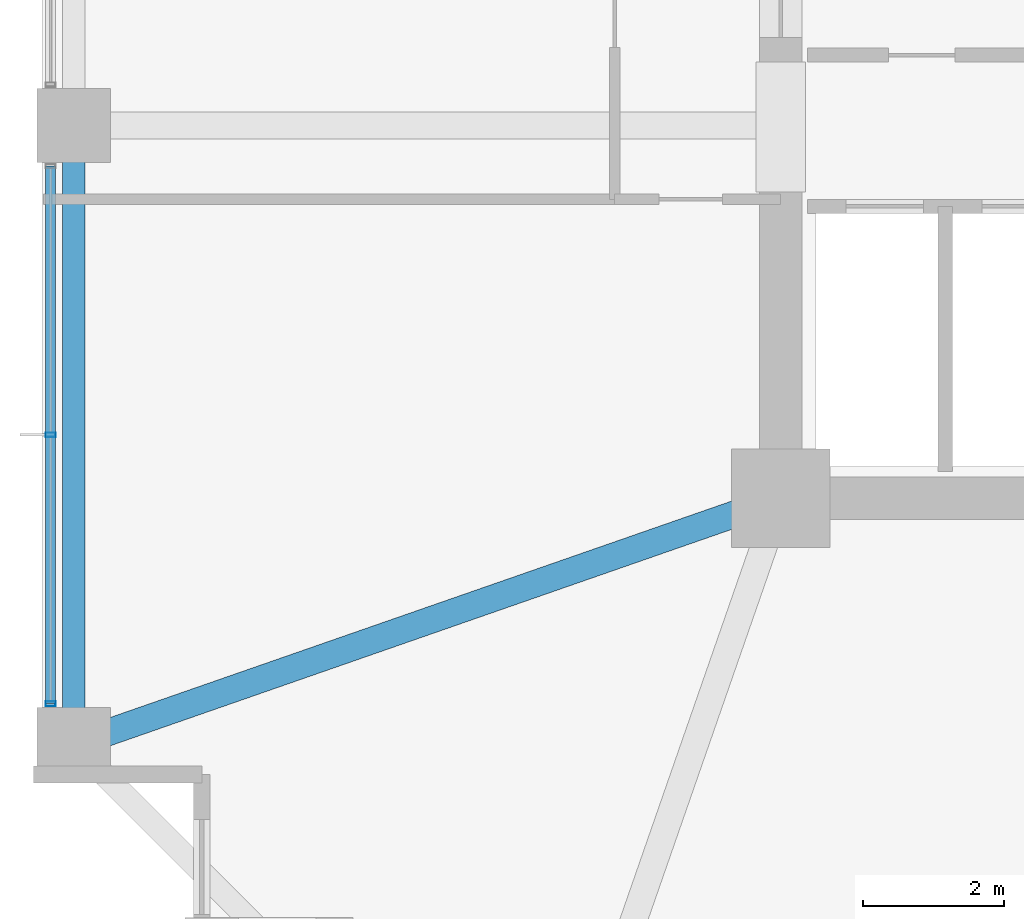
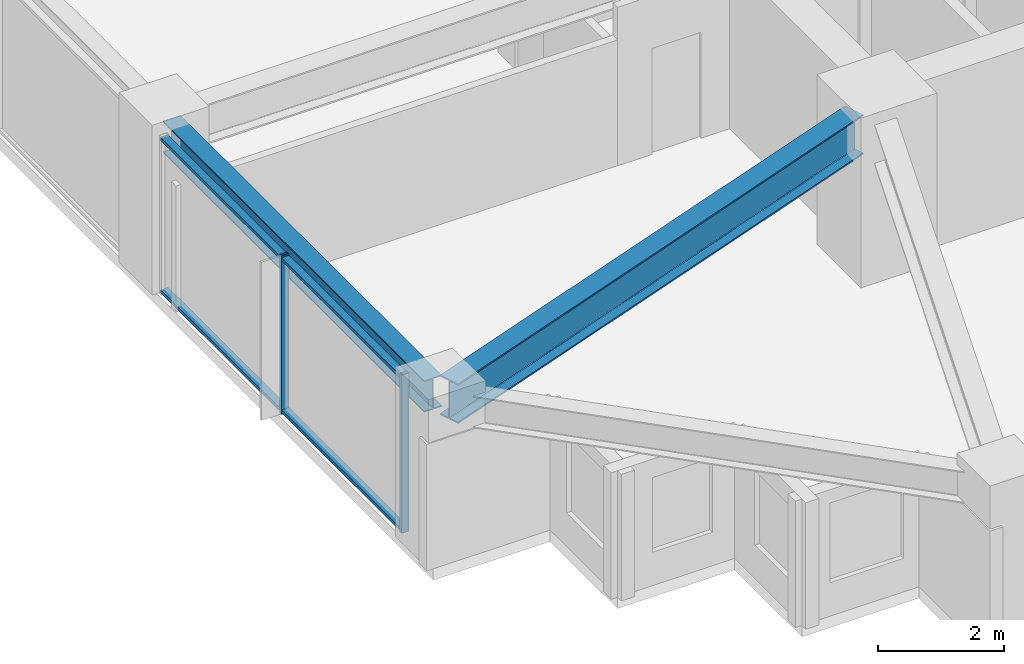
# One storey, part 4 of 38: 4 members, 2 beams, 1 element without a shape of its own.
"""IFC4 building model written with IfcOpenShell, lengths in metres."""

from ifc_helpers import new_model, si_unit, direction, frame, origin, origin_2d, place, context, subcontext, project, spatial, hollow_rectangle, i_section, extrude, material, material_profile, profile_set, type_object, element, aggregate, save


model = new_model("IFC4")

# Units and contexts
model_context = context("Model", 3, precision=1e-05, world=origin(), true_north=direction((0.0, 1.0)))
body_context = subcontext(model_context, "Body", "Model", "MODEL_VIEW")
ifc_project = project(units=[si_unit("LENGTHUNIT", "METRE"), si_unit("AREAUNIT", "SQUARE_METRE"), si_unit("VOLUMEUNIT", "CUBIC_METRE"), si_unit("PLANEANGLEUNIT", "RADIAN"), si_unit("MASSUNIT", "GRAM", prefix="KILO")], contexts=[model_context])

# Site, building, storey
site_placement = place(None, origin())
site = spatial("IfcSite", under=ifc_project, at=site_placement, CompositionType="ELEMENT")
building_placement = place(site_placement, origin())
building = spatial("IfcBuilding", under=site, at=building_placement, Name="Kolvaren Belvedere", CompositionType="ELEMENT")
storey_placement = place(building_placement, frame((0.0, 0.0, 98.60009765625)))
storey = spatial("IfcBuildingStorey", under=building, at=storey_placement, Name="L28", CompositionType="ELEMENT", Elevation=98.60009765625)

# Beams
ifc_material_1 = material(Name="Structural steel ASTM A992 Grade 50", Category="steel")
ifc_material_profile_1 = material_profile(ifc_material_1, i_section(OverallWidth=0.381103515625, OverallDepth=0.77294921875, WebThickness=0.0166015625, FlangeThickness=0.027099609375, FilletRadius=0.02392578125, at=origin_2d()), Name="W30X173")
ifc_profile_set_1 = profile_set([ifc_material_profile_1], Name="Structural steel ASTM A992 Grade 50")
beam_type_1 = type_object("IfcBeamType", Name="BM-GIRD-W30X173", PredefinedType="BEAM", material=ifc_profile_set_1)
beam_1_placement = place(storey_placement, frame((-10.41943359375, -10.080810546875, 2.693359375), z_axis=(-0.944371408538, -0.328880894453, 0.0), x_axis=(0.328880894453, -0.944371408538, 0.0)))
element("IfcBeam", 1, at=beam_1_placement, inside=storey, type_object=beam_type_1, Name="L28 Corner Core-to-Perimeter Girder CC1-W1", PredefinedType="BEAM", context=body_context, shape_type="SweptSolid", body=[
    extrude(i_section(OverallWidth=0.381103515625, OverallDepth=0.77294921875, WebThickness=0.0166015625, FlangeThickness=0.027099609375, FilletRadius=0.02392578125, at=origin_2d()), origin(), (0.0, 0.0, 1.0), 9.882080078125),
])
ifc_material_2 = material(Name="Structural steel ASTM A992 Grade 50", Category="steel")
ifc_material_profile_2 = material_profile(ifc_material_2, i_section(OverallWidth=0.324951171875, OverallDepth=0.615966796875, WebThickness=0.013916015625, FlangeThickness=0.021484375, FilletRadius=0.02001953125, at=origin_2d()), Name="W24X117")
ifc_profile_set_2 = profile_set([ifc_material_profile_2], Name="Structural steel ASTM A992 Grade 50")
beam_type_2 = type_object("IfcBeamType", Name="BM-SPAN-W24X117", PredefinedType="SPANDREL", material=ifc_profile_set_2)
beam_2_placement = place(storey_placement, frame((-19.949951171875, -4.836181640625, 2.77197265625), z_axis=(0.0, -1.0, 0.0), x_axis=(1.0, 0.0, 0.0)))
element("IfcBeam", 2, at=beam_2_placement, inside=storey, type_object=beam_type_2, Name="L28 Perimeter Spandrel W2-W1", PredefinedType="SPANDREL", context=body_context, shape_type="SweptSolid", body=[
    extrude(i_section(OverallWidth=0.324951171875, OverallDepth=0.615966796875, WebThickness=0.013916015625, FlangeThickness=0.021484375, FilletRadius=0.02001953125, at=origin_2d()), origin(), (0.0, 0.0, 1.0), 8.32763671875),
])

# Curtain wall, members
ifc_material_3 = material(Name="Anodised pale-metal aluminium AA 6063-T6", Category="aluminium")
curtain_wall_type = type_object("IfcCurtainWallType", Name="CW-Z2-MID", PredefinedType="NOTDEFINED", material=ifc_material_3)
curtain_wall_placement = place(storey_placement, origin())
curtain_wall = element("IfcCurtainWall", 3, at=curtain_wall_placement, inside=storey, type_object=curtain_wall_type, Name="L28 Unitised Curtain Wall FCW-L28-W-B1", PredefinedType="NOTDEFINED")
ifc_material_4 = material(Name="Anodised pale-metal aluminium AA 6063-T6", Category="aluminium")
ifc_material_profile_3 = material_profile(ifc_material_4, hollow_rectangle(XDim=0.06494140625, YDim=0.139892578125, WallThickness=0.00390625, at=origin_2d()), Name="ALU-MUL-140X65")
ifc_profile_set_3 = profile_set([ifc_material_profile_3], Name="Anodised pale-metal aluminium AA 6063-T6")
member_type_1 = type_object("IfcMemberType", Name="CW-MUL-140", PredefinedType="MULLION", material=ifc_profile_set_3)
member_1_placement = place(storey_placement, frame((-20.280029296875, -12.822509765625, 0.0), z_axis=(0.0, 0.0, 1.0), x_axis=(0.0, 1.0, 0.0)))
member_1 = element("IfcMember", 4, at=member_1_placement, type_object=member_type_1, Name="FCW-L28-W-B1 Unitised Mullion 1", PredefinedType="MULLION", context=body_context, shape_type="SweptSolid", body=[
    extrude(hollow_rectangle(XDim=0.06494140625, YDim=0.139892578125, WallThickness=0.00390625, at=origin_2d()), origin(), (0.0, 0.0, 1.0), 3.079833984375),
])
member_2_placement = place(storey_placement, frame((-20.280029296875, -9.0, 0.0), z_axis=(0.0, 0.0, 1.0), x_axis=(0.0, 1.0, 0.0)))
member_2 = element("IfcMember", 5, at=member_2_placement, type_object=member_type_1, Name="FCW-L28-W-B1 Unitised Mullion 2", PredefinedType="MULLION", context=body_context, shape_type="SweptSolid", body=[
    extrude(hollow_rectangle(XDim=0.06494140625, YDim=0.139892578125, WallThickness=0.00390625, at=origin_2d()), origin(), (0.0, 0.0, 1.0), 3.079833984375),
])
ifc_material_5 = material(Name="Anodised pale-metal aluminium AA 6063-T6", Category="aluminium")
ifc_material_profile_4 = material_profile(ifc_material_5, hollow_rectangle(XDim=0.06005859375, YDim=0.139892578125, WallThickness=0.00390625, at=origin_2d()), Name="ALU-TRN-140X60")
ifc_profile_set_4 = profile_set([ifc_material_profile_4], Name="Anodised pale-metal aluminium AA 6063-T6")
member_type_2 = type_object("IfcMemberType", Name="CW-TRN-140", PredefinedType="USERDEFINED", material=ifc_profile_set_4)
member_3_placement = place(storey_placement, frame((-20.280029296875, -12.822509765625, 0.059814453125), z_axis=(0.0, 1.0, 0.0), x_axis=(0.0, 0.0, 1.0)))
member_3 = element("IfcMember", 6, at=member_3_placement, type_object=member_type_2, Name="FCW-L28-W-B1 Sill Transom", ObjectType="TRANSOM", PredefinedType="USERDEFINED", context=body_context, shape_type="SweptSolid", body=[
    extrude(hollow_rectangle(XDim=0.06005859375, YDim=0.139892578125, WallThickness=0.00390625, at=origin_2d()), origin(), (0.0, 0.0, 1.0), 7.64501953125),
])
member_4_placement = place(storey_placement, frame((-20.280029296875, -12.822509765625, 3.02001953125), z_axis=(0.0, 1.0, 0.0), x_axis=(0.0, 0.0, 1.0)))
member_4 = element("IfcMember", 7, at=member_4_placement, type_object=member_type_2, Name="FCW-L28-W-B1 Head Transom", ObjectType="TRANSOM", PredefinedType="USERDEFINED", context=body_context, shape_type="SweptSolid", body=[
    extrude(hollow_rectangle(XDim=0.06005859375, YDim=0.139892578125, WallThickness=0.00390625, at=origin_2d()), origin(), (0.0, 0.0, 1.0), 7.64501953125),
])
aggregate(curtain_wall, [member_1, member_2, member_3, member_4])

save(model, "model.ifc")
